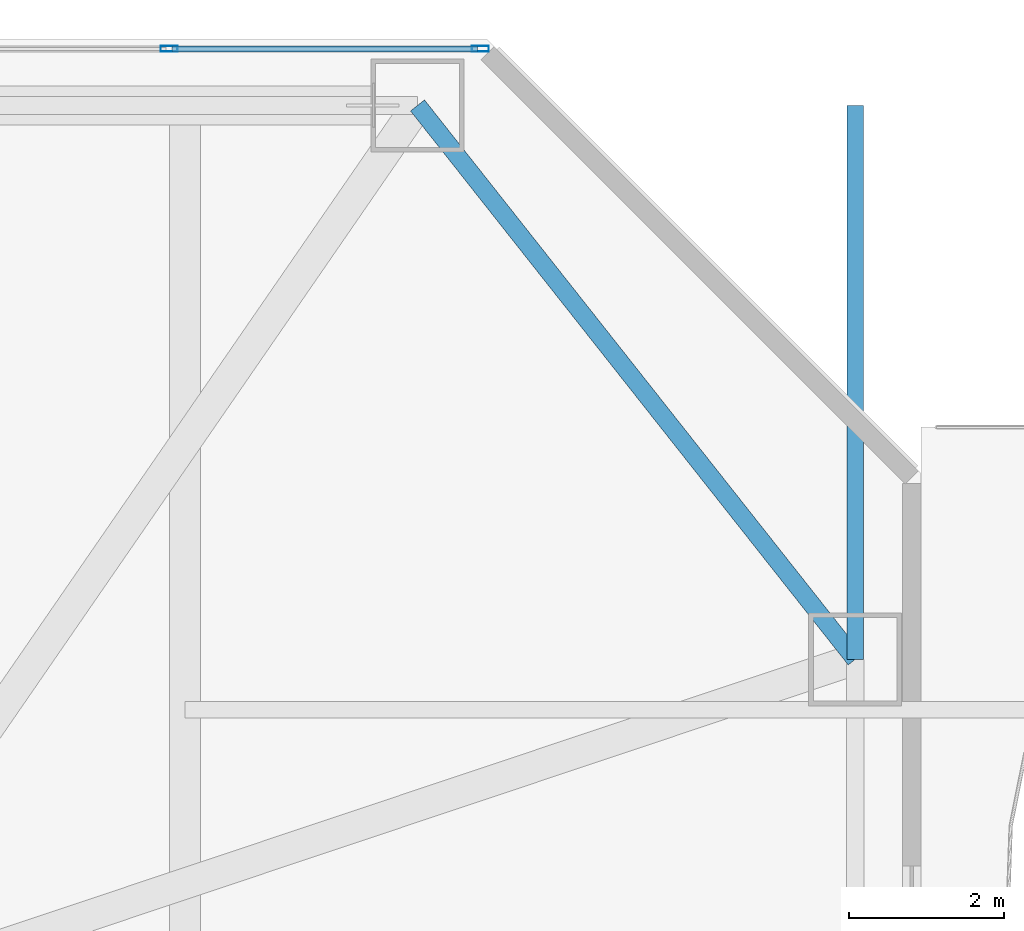
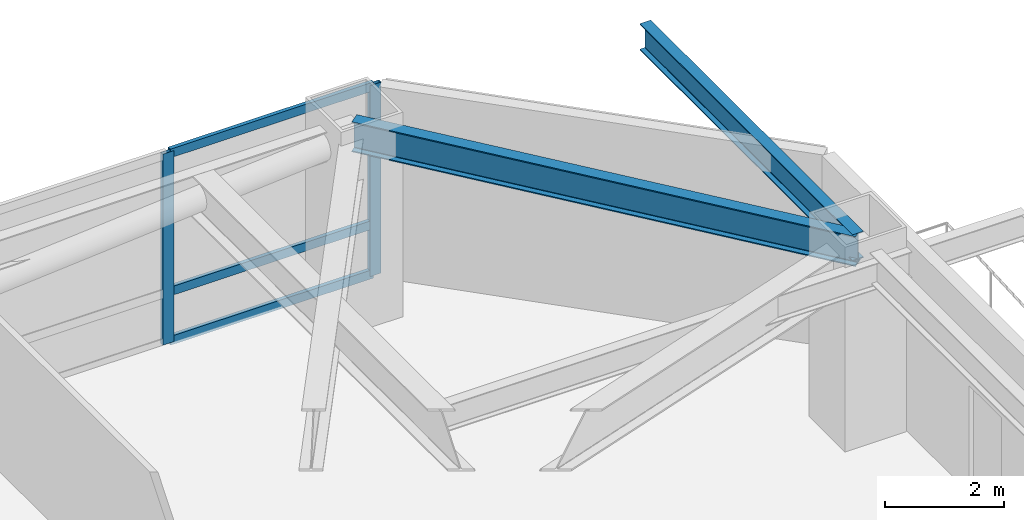
# One storey, part 15 of 32: 5 members, 2 beams, 1 element without a shape of its own.
"""IFC4 building model written with IfcOpenShell, lengths in metres."""

from ifc_helpers import new_model, si_unit, direction, frame, origin, origin_2d, place, context, subcontext, project, spatial, hollow_rectangle, i_section, extrude, material, material_profile, profile_set, type_object, element, aggregate, save


model = new_model("IFC4")

# Units and contexts
model_context = context("Model", 3, precision=1e-05, world=origin(), true_north=direction((0.0, 1.0)))
body_context = subcontext(model_context, "Body", "Model", "MODEL_VIEW")
ifc_project = project(units=[si_unit("LENGTHUNIT", "METRE"), si_unit("AREAUNIT", "SQUARE_METRE"), si_unit("VOLUMEUNIT", "CUBIC_METRE"), si_unit("PLANEANGLEUNIT", "RADIAN"), si_unit("MASSUNIT", "GRAM", prefix="KILO")], contexts=[model_context])

# Site, building, storey
site_placement = place(None, origin())
site = spatial("IfcSite", under=ifc_project, at=site_placement, CompositionType="ELEMENT")
building_placement = place(site_placement, origin())
building = spatial("IfcBuilding", under=site, at=building_placement, Name="Khamvora Tower", CompositionType="ELEMENT")
storey_placement = place(building_placement, frame((0.0, 0.0, 12.0)))
storey = spatial("IfcBuildingStorey", under=building, at=storey_placement, Name="L02", CompositionType="ELEMENT", Elevation=12.0)

# Beams
ifc_material_1 = material(Name="Steel S355", Category="steel")
ifc_material_profile_1 = material_profile(ifc_material_1, i_section(OverallWidth=0.2119140625, OverallDepth=0.5439453125, WebThickness=0.012939453125, FlangeThickness=0.02099609375, FilletRadius=0.013916015625, at=origin_2d()), Name="W530x123")
ifc_profile_set_1 = profile_set([ifc_material_profile_1], Name="Steel S355")
beam_type_1 = type_object("IfcBeamType", Name="BM-SP-W530x123", PredefinedType="SPANDREL", material=ifc_profile_set_1)
beam_1_placement = place(storey_placement, frame((55.14990234375, 48.0, 3.64794921875), z_axis=(0.0, 1.0, 0.0), x_axis=(-1.0, 0.0, 0.0)))
element("IfcBeam", 1, at=beam_1_placement, inside=storey, type_object=beam_type_1, Name="L02 E perimeter edge spandrel 5", PredefinedType="SPANDREL", context=body_context, shape_type="SweptSolid", body=[
    extrude(i_section(OverallWidth=0.2119140625, OverallDepth=0.5439453125, WebThickness=0.012939453125, FlangeThickness=0.02099609375, FilletRadius=0.013916015625, at=origin_2d()), origin(), (0.0, 0.0, 1.0), 7.14990234375),
])
ifc_material_profile_2 = material_profile(ifc_material_1, i_section(OverallWidth=0.22998046875, OverallDepth=0.616943359375, WebThickness=0.012939453125, FlangeThickness=0.02197265625, FilletRadius=0.013916015625, at=origin_2d()), Name="W610x140")
ifc_profile_set_2 = profile_set([ifc_material_profile_2], Name="Steel S355")
beam_type_2 = type_object("IfcBeamType", Name="BM-SP-W610x140", PredefinedType="SPANDREL", material=ifc_profile_set_2)
beam_2_placement = place(storey_placement, frame((55.14990234375, 48.0, 3.611083984375), z_axis=(-0.619998635429, 0.784602888133, 0.0), x_axis=(-0.784602888133, -0.619998635429, 0.0)))
element("IfcBeam", 2, at=beam_2_placement, inside=storey, type_object=beam_type_2, Name="L02 perimeter spandrel beam P16-P08", PredefinedType="SPANDREL", context=body_context, shape_type="SweptSolid", body=[
    extrude(i_section(OverallWidth=0.22998046875, OverallDepth=0.616943359375, WebThickness=0.012939453125, FlangeThickness=0.02197265625, FilletRadius=0.013916015625, at=origin_2d()), origin(), (0.0, 0.0, 1.0), 9.11279296875),
])

# Curtain wall, members
ifc_material_2 = material(Name="Anodised Aluminium 6063-T6", Category="aluminium")
curtain_wall_type = type_object("IfcCurtainWallType", Name="CW-SYS-01", PredefinedType="NOTDEFINED", material=ifc_material_2)
curtain_wall_placement = place(storey_placement, origin())
curtain_wall = element("IfcCurtainWall", 3, at=curtain_wall_placement, inside=storey, type_object=curtain_wall_type, Name="L02 stick curtain wall 07.1", PredefinedType="NOTDEFINED")
ifc_material_profile_3 = material_profile(ifc_material_2, hollow_rectangle(XDim=0.074951171875, YDim=0.219970703125, WallThickness=0.0048828125, at=origin_2d()), Name="MUL75x220x5")
ifc_profile_set_3 = profile_set([ifc_material_profile_3], Name="Anodised Aluminium 6063-T6")
member_type_1 = type_object("IfcMemberType", Name="CW-SYS-01-MUL", PredefinedType="MULLION", material=ifc_profile_set_3)
member_1_placement = place(storey_placement, frame((46.29345703125, 55.8798828125, 0.0), z_axis=(0.0, 0.0, 1.0), x_axis=(0.0, 1.0, 0.0)))
member_1 = element("IfcMember", 4, at=member_1_placement, type_object=member_type_1, Name="CW-01 mullion 11", PredefinedType="MULLION", context=body_context, shape_type="SweptSolid", body=[
    extrude(hollow_rectangle(XDim=0.074951171875, YDim=0.219970703125, WallThickness=0.0048828125, at=origin_2d()), origin(), (0.0, 0.0, 1.0), 3.919921875),
])
member_2_placement = place(storey_placement, frame((50.3125, 55.8798828125, 0.0), z_axis=(0.0, 0.0, 1.0), x_axis=(0.0, 1.0, 0.0)))
member_2 = element("IfcMember", 5, at=member_2_placement, type_object=member_type_1, Name="CW-01 mullion 12", PredefinedType="MULLION", context=body_context, shape_type="SweptSolid", body=[
    extrude(hollow_rectangle(XDim=0.074951171875, YDim=0.219970703125, WallThickness=0.0048828125, at=origin_2d()), origin(), (0.0, 0.0, 1.0), 3.919921875),
])
ifc_material_profile_4 = material_profile(ifc_material_2, hollow_rectangle(XDim=0.074951171875, YDim=0.179931640625, WallThickness=0.0048828125, at=origin_2d()), Name="TRN75x180x5")
ifc_profile_set_4 = profile_set([ifc_material_profile_4], Name="Anodised Aluminium 6063-T6")
member_type_2 = type_object("IfcMemberType", Name="CW-SYS-01-TRN", PredefinedType="USERDEFINED", material=ifc_profile_set_4)
member_3_placement = place(storey_placement, frame((46.330810546875, 55.8798828125, 0.03759765625), z_axis=(1.0, 0.0, 0.0), x_axis=(0.0, 1.0, 0.0)))
member_3 = element("IfcMember", 6, at=member_3_placement, type_object=member_type_2, Name="CW-01 transom 11.1", ObjectType="TRANSOM", PredefinedType="USERDEFINED", context=body_context, shape_type="SweptSolid", body=[
    extrude(hollow_rectangle(XDim=0.074951171875, YDim=0.179931640625, WallThickness=0.0048828125, at=origin_2d()), origin(), (0.0, 0.0, 1.0), 3.944091796875),
])
member_4_placement = place(storey_placement, frame((46.330810546875, 55.8798828125, 1.050048828125), z_axis=(1.0, 0.0, 0.0), x_axis=(0.0, 1.0, 0.0)))
member_4 = element("IfcMember", 7, at=member_4_placement, type_object=member_type_2, Name="CW-01 transom 11.2", ObjectType="TRANSOM", PredefinedType="USERDEFINED", context=body_context, shape_type="SweptSolid", body=[
    extrude(hollow_rectangle(XDim=0.074951171875, YDim=0.179931640625, WallThickness=0.0048828125, at=origin_2d()), origin(), (0.0, 0.0, 1.0), 3.944091796875),
])
member_5_placement = place(storey_placement, frame((46.330810546875, 55.8798828125, 3.882568359375), z_axis=(1.0, 0.0, 0.0), x_axis=(0.0, 1.0, 0.0)))
member_5 = element("IfcMember", 8, at=member_5_placement, type_object=member_type_2, Name="CW-01 transom 11.3", ObjectType="TRANSOM", PredefinedType="USERDEFINED", context=body_context, shape_type="SweptSolid", body=[
    extrude(hollow_rectangle(XDim=0.074951171875, YDim=0.179931640625, WallThickness=0.0048828125, at=origin_2d()), origin(), (0.0, 0.0, 1.0), 3.944091796875),
])
aggregate(curtain_wall, [member_1, member_2, member_3, member_4, member_5])

save(model, "model.ifc")
